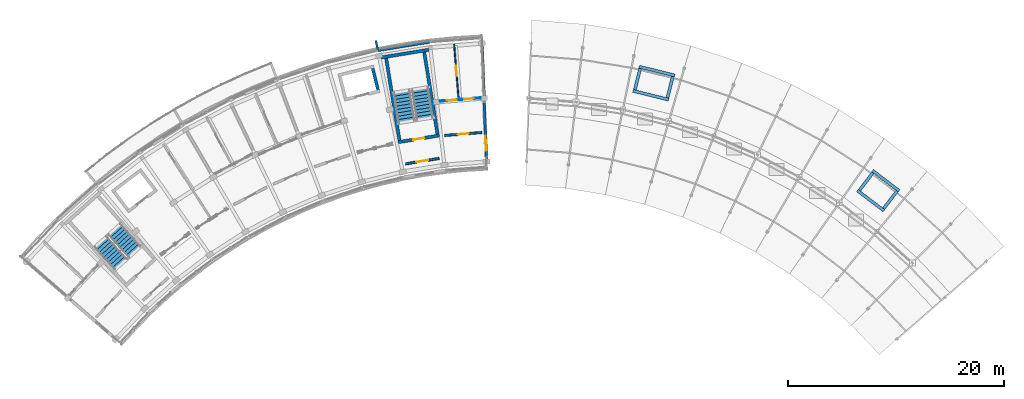
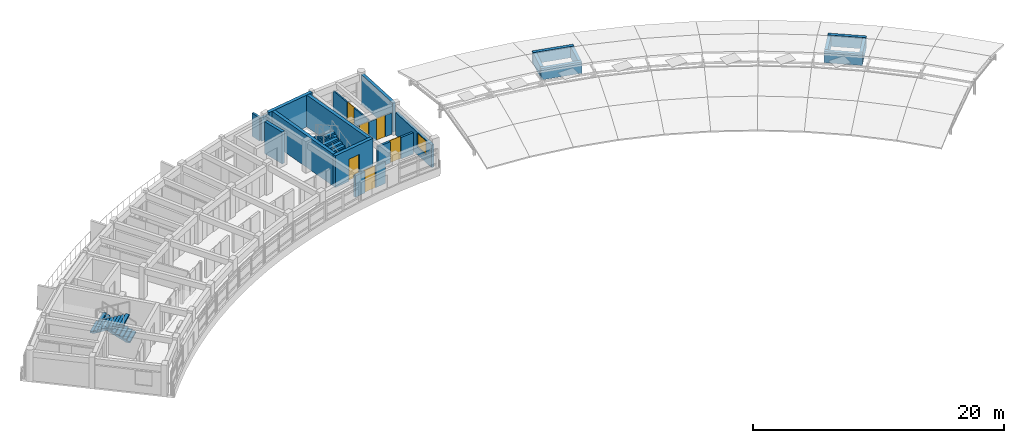
# One storey, part 17 of 20: 21 walls, 6 doors, 4 stair flights, 1 window, 7 openings, 2 elements without a shape of their own.
"""IFC4 building model written with IfcOpenShell, lengths in metres."""

from ifc_helpers import new_model, si_unit, direction, frame, frame_2d, origin, place, context, subcontext, project, spatial, polyline, rectangle, outline, extrude, material, layer, layer_set, type_object, element, fill, aggregate, save


model = new_model("IFC4")

# Units and contexts
model_context = context("Model", 3, precision=1e-05, world=origin(), true_north=direction((0.0, 1.0)))
body_context = subcontext(model_context, "Body", "Model", "MODEL_VIEW")
ifc_project = project(units=[si_unit("LENGTHUNIT", "METRE"), si_unit("AREAUNIT", "SQUARE_METRE"), si_unit("VOLUMEUNIT", "CUBIC_METRE"), si_unit("PLANEANGLEUNIT", "RADIAN"), si_unit("MASSUNIT", "GRAM", prefix="KILO")], contexts=[model_context])

# Site, building, storey
site_placement = place(None, origin())
site = spatial("IfcSite", under=ifc_project, at=site_placement, CompositionType="ELEMENT")
building_placement = place(site_placement, origin())
building = spatial("IfcBuilding", under=site, at=building_placement, Name="Zimvara Arc Housing Community", CompositionType="ELEMENT")
storey_placement = place(building_placement, frame((0.0, 0.0, 39.10009765625)))
storey = spatial("IfcBuildingStorey", under=building, at=storey_placement, Name="L12", CompositionType="ELEMENT", Elevation=39.10009765625)

# Wall
ifc_material_1 = material(Name="Board-Marked Fair-Faced Concrete C35/45", Category="concrete")
ifc_layer_1 = layer(ifc_material_1, 0.219970703125)
ifc_layer_set_1 = layer_set([ifc_layer_1], Name="Board-Marked Fair-Faced Concrete C35/45")
wall_type_1 = type_object("IfcWallType", Name="EWL-CONC-220", PredefinedType="SOLIDWALL", material=ifc_layer_set_1)
wall_1_placement = place(storey_placement, frame((33.120361328125, 102.6787109375, 0.0), z_axis=(0.0, 0.0, 1.0), x_axis=(0.987080750493, 0.160223568819, 0.0)))
element("IfcWall", 1, at=wall_1_placement, inside=storey, type_object=wall_type_1, Name="ewall:blkA:L12:out:b8", PredefinedType="SOLIDWALL", context=body_context, shape_type="SweptSolid", body=[
    extrude(rectangle(XDim=4.808837890625, YDim=0.219970703125, at=frame_2d((2.404296875, 0.0))), origin(), (0.0, 0.0, 1.0), 2.25),
])

# Wall, opening, window
ifc_material_2 = material(Name="Board-Marked Fair-Faced Concrete C35/45", Category="concrete")
ifc_layer_2 = layer(ifc_material_2, 0.2548828125)
ifc_layer_set_2 = layer_set([ifc_layer_2], Name="Board-Marked Fair-Faced Concrete C35/45")
wall_type_2 = type_object("IfcWallType", Name="EWL-CONC-255", PredefinedType="SOLIDWALL", material=ifc_layer_set_2)
wall_2_placement = place(storey_placement, frame((43.151123046875, 92.62451171875, 0.0), z_axis=(0.0, 0.0, 1.0), x_axis=(-0.038384504742, 0.999263043345, 0.0)))
wall_2 = element("IfcWall", 2, at=wall_2_placement, inside=storey, type_object=wall_type_2, Name="ewall:blkA:L12:gN", PredefinedType="SOLIDWALL", context=body_context, shape_type="SweptSolid", body=[
    extrude(rectangle(XDim=5.39990234375, YDim=0.2548828125, at=frame_2d((2.699951171875, 0.0))), origin(), (0.0, 0.0, 1.0), 2.179931640625),
])
opening_1_placement = place(wall_2_placement, frame((0.7900390625, 0.0, 0.75)))
opening_1 = element("IfcOpeningElement", 3, at=opening_1_placement, cuts=wall_2, Name="Opening W12", PredefinedType="OPENING", context=body_context, shape_type="SweptSolid", body=[
    extrude(rectangle(XDim=1.35009765625, YDim=1.35009765625, at=frame_2d((0.675048828125, 0.675048828125))), frame((0.0, 0.137451171875, 0.0), z_axis=(0.0, -1.0, 0.0), x_axis=(1.0, 0.0, 0.0)), (0.0, 0.0, 1.0), 0.27490234375),
])
ifc_material_3 = material(Name="Solar Control Low-E Double Glazing", Category="glass")
window_type = type_object("IfcWindowType", Name="WIN-RES-1350x1350", PartitioningType="DOUBLE_PANEL_VERTICAL", PredefinedType="WINDOW", material=ifc_material_3)
window_placement = place(opening_1_placement, origin())
window = element("IfcWindow", 4, at=window_placement, inside=storey, type_object=window_type, Name="win:blkA:L12:gN:w", OverallHeight=1.35009765625, OverallWidth=1.35009765625, PartitioningType="DOUBLE_PANEL_VERTICAL", PredefinedType="WINDOW", context=body_context, shape_type="SweptSolid", body=[
    extrude(rectangle(XDim=1.35009765625, YDim=1.35009765625, at=frame_2d((0.675048828125, 0.675048828125))), frame((0.0, 0.030029296875, 0.0), z_axis=(0.0, -1.0, 0.0), x_axis=(1.0, 0.0, 0.0)), (0.0, 0.0, 1.0), 0.06005859375),
])
fill(opening_1, window)

# Wall
ifc_material_4 = material(Name="Board-Marked Fair-Faced Concrete C35/45", Category="concrete")
ifc_layer_3 = layer(ifc_material_4, 0.195068359375)
ifc_layer_set_3 = layer_set([ifc_layer_3], Name="Board-Marked Fair-Faced Concrete C35/45")
wall_type_3 = type_object("IfcWallType", Name="EWL-PARA-195", PredefinedType="PARAPET", material=ifc_layer_set_3)
wall_3_placement = place(storey_placement, frame((33.092529296875, 102.714599609375, 0.0), z_axis=(0.0, 0.0, 1.0), x_axis=(-0.200183211319, 0.979758481416, 0.0)))
element("IfcWall", 5, at=wall_3_placement, inside=storey, type_object=wall_type_3, Name="finwall:blkA:L12:out:b8", PredefinedType="PARAPET", context=body_context, shape_type="SweptSolid", body=[
    extrude(rectangle(XDim=0.900146484375, YDim=0.195068359375, at=frame_2d((0.4501953125, 0.0))), origin(), (0.0, 0.0, 1.0), 2.25),
])

# Wall, opening, door
ifc_material_5 = material(Name="Concrete C35/45", Category="concrete")
ifc_layer_4 = layer(ifc_material_5, 0.2099609375)
ifc_layer_set_4 = layer_set([ifc_layer_4], Name="Concrete C35/45")
wall_type_4 = type_object("IfcWallType", Name="IWL-CCF-210", PredefinedType="SOLIDWALL", material=ifc_layer_set_4)
wall_4_placement = place(storey_placement, frame((35.675537109375, 92.181396484375, 0.0), z_axis=(0.0, 0.0, 1.0), x_axis=(0.98707079686, 0.160284877599, 0.0)))
wall_4 = element("IfcWall", 6, at=wall_4_placement, inside=storey, type_object=wall_type_4, Name="iwall:blkA:L12:ccf_div:b8", PredefinedType="SOLIDWALL", context=body_context, shape_type="SweptSolid", body=[
    extrude(rectangle(XDim=3.128662109375, YDim=0.2099609375, at=frame_2d((1.564453125, 0.0))), origin(), (0.0, 0.0, 1.0), 2.079833984375),
])
opening_2_placement = place(wall_4_placement, frame((1.014404296875, 0.0, 0.0)))
opening_2 = element("IfcOpeningElement", 7, at=opening_2_placement, cuts=wall_4, Name="Opening FD-CCF1", PredefinedType="OPENING", context=body_context, shape_type="SweptSolid", body=[
    extrude(rectangle(XDim=1.10009765625, YDim=2.14990234375, at=frame_2d((0.550048828125, 1.074951171875))), frame((0.0, 0.114990234375, 0.0), z_axis=(0.0, -1.0, 0.0), x_axis=(1.0, 0.0, 0.0)), (0.0, 0.0, 1.0), 0.22998046875),
])
ifc_material_6 = material(Name="Anodised Aluminium AW-6063", Category="aluminium")
door_type_1 = type_object("IfcDoorType", Name="IDR-CCF-1100x2150", OperationType="NOTDEFINED", PredefinedType="DOOR", material=ifc_material_6)
door_1_placement = place(opening_2_placement, origin())
door_1 = element("IfcDoor", 8, at=door_1_placement, inside=storey, type_object=door_type_1, Name="idoor:blkA:L12:ccf_in:b8", OperationType="SINGLE_SWING_RIGHT", OverallHeight=2.14990234375, OverallWidth=1.10009765625, PredefinedType="DOOR", context=body_context, shape_type="SweptSolid", body=[
    extrude(rectangle(XDim=1.10009765625, YDim=2.14990234375, at=frame_2d((0.550048828125, 1.074951171875))), frame((0.0, 0.02490234375, 0.0), z_axis=(0.0, -1.0, 0.0), x_axis=(1.0, 0.0, 0.0)), (0.0, 0.0, 1.0), 0.050048828125),
])
fill(opening_2, door_1)

ifc_material_7 = material(Name="Concrete C35/45", Category="concrete")
ifc_layer_5 = layer(ifc_material_7, 0.199951171875)
ifc_layer_set_5 = layer_set([ifc_layer_5], Name="Concrete C35/45")
wall_type_5 = type_object("IfcWallType", Name="IWL-CORR-200", PredefinedType="SOLIDWALL", material=ifc_layer_set_5)
wall_5_placement = place(storey_placement, frame((39.281494140625, 94.81298828125, 0.0), z_axis=(0.0, 0.0, 1.0), x_axis=(0.996862545573, 0.079152165058, 0.0)))
wall_5 = element("IfcWall", 9, at=wall_5_placement, inside=storey, type_object=wall_type_5, Name="iwall:blkA:L12:corr_out:b9", PredefinedType="SOLIDWALL", context=body_context, shape_type="SweptSolid", body=[
    extrude(rectangle(XDim=3.43603515625, YDim=0.199951171875, at=frame_2d((1.718017578125, 0.0))), origin(), (0.0, 0.0, 1.0), 2.079833984375),
])
opening_3_placement = place(wall_5_placement, frame((1.2080078125, 0.0, 0.0)))
opening_3 = element("IfcOpeningElement", 10, at=opening_3_placement, cuts=wall_5, Name="Opening FD-FL2", PredefinedType="OPENING", context=body_context, shape_type="SweptSolid", body=[
    extrude(rectangle(XDim=1.02001953125, YDim=2.14990234375, at=frame_2d((0.510009765625, 1.074951171875))), frame((0.0, 0.10986328125, 0.0), z_axis=(0.0, -1.0, 0.0), x_axis=(1.0, 0.0, 0.0)), (0.0, 0.0, 1.0), 0.219970703125),
])
ifc_material_8 = material(Name="Mozambican Hardwood", Category="wood")
door_type_2 = type_object("IfcDoorType", Name="IDR-FLAT-1020x2150", OperationType="NOTDEFINED", PredefinedType="DOOR", material=ifc_material_8)
door_2_placement = place(opening_3_placement, origin())
door_2 = element("IfcDoor", 11, at=door_2_placement, inside=storey, type_object=door_type_2, Name="idoor:blkA:L12:flat:b9", OperationType="SINGLE_SWING_LEFT", OverallHeight=2.14990234375, OverallWidth=1.02001953125, PredefinedType="DOOR", context=body_context, shape_type="SweptSolid", body=[
    extrude(rectangle(XDim=1.02001953125, YDim=2.14990234375, at=frame_2d((0.510009765625, 1.074951171875))), frame((0.0, 0.02490234375, 0.0), z_axis=(0.0, -1.0, 0.0), x_axis=(1.0, 0.0, 0.0)), (0.0, 0.0, 1.0), 0.050048828125),
])
fill(opening_3, door_2)

# Wall, openings, doors
ifc_material_9 = material(Name="Painted Acoustic Plasterboard")
ifc_layer_6 = layer(ifc_material_9, 0.114990234375)
ifc_layer_set_6 = layer_set([ifc_layer_6], Name="Painted Acoustic Plasterboard")
wall_type_6 = type_object("IfcWallType", Name="IWL-PART-115", PredefinedType="PARTITIONING", material=ifc_layer_set_6)
wall_6_placement = place(storey_placement, frame((38.848388671875, 97.986083984375, 0.0), z_axis=(0.0, 0.0, 1.0), x_axis=(0.996863138536, 0.079144696778, 0.0)))
wall_6 = element("IfcWall", 12, at=wall_6_placement, inside=storey, type_object=wall_type_6, Name="iwall:blkA:L12:srv:b9", PredefinedType="PARTITIONING", context=body_context, shape_type="SweptSolid", body=[
    extrude(rectangle(XDim=3.79736328125, YDim=0.114990234375, at=frame_2d((1.898681640625, 0.0))), origin(), (0.0, 0.0, 1.0), 2.079833984375),
])
opening_4_placement = place(wall_6_placement, frame((0.64990234375, 0.0, 0.0)))
opening_4 = element("IfcOpeningElement", 13, at=opening_4_placement, cuts=wall_6, Name="Opening D01", PredefinedType="OPENING", context=body_context, shape_type="SweptSolid", body=[
    extrude(rectangle(XDim=0.89990234375, YDim=2.10009765625, at=frame_2d((0.449951171875, 1.050048828125))), frame((0.0, 0.0673828125, 0.0), z_axis=(0.0, -1.0, 0.0), x_axis=(1.0, 0.0, 0.0)), (0.0, 0.0, 1.0), 0.135009765625),
])
opening_5_placement = place(wall_6_placement, frame((2.267333984375, 0.0, 0.0)))
opening_5 = element("IfcOpeningElement", 14, at=opening_5_placement, cuts=wall_6, Name="Opening D05", PredefinedType="OPENING", context=body_context, shape_type="SweptSolid", body=[
    extrude(rectangle(XDim=0.8798828125, YDim=2.10009765625, at=frame_2d((0.43994140625, 1.050048828125))), frame((0.0, 0.0673828125, 0.0), z_axis=(0.0, -1.0, 0.0), x_axis=(1.0, 0.0, 0.0)), (0.0, 0.0, 1.0), 0.135009765625),
])
ifc_material_10 = material(Name="Mozambican Hardwood", Category="wood")
door_type_3 = type_object("IfcDoorType", Name="IDR-RM-0900x2100", OperationType="NOTDEFINED", PredefinedType="DOOR", material=ifc_material_10)
door_3_placement = place(opening_4_placement, origin())
door_3 = element("IfcDoor", 15, at=door_3_placement, inside=storey, type_object=door_type_3, Name="idoor:blkA:L12:kit_liv:b9", OperationType="SINGLE_SWING_RIGHT", OverallHeight=2.10009765625, OverallWidth=0.89990234375, PredefinedType="DOOR", context=body_context, shape_type="SweptSolid", body=[
    extrude(rectangle(XDim=0.89990234375, YDim=2.10009765625, at=frame_2d((0.449951171875, 1.050048828125))), frame((0.0, 0.02490234375, 0.0), z_axis=(0.0, -1.0, 0.0), x_axis=(1.0, 0.0, 0.0)), (0.0, 0.0, 1.0), 0.050048828125),
])
fill(opening_4, door_3)
ifc_material_11 = material(Name="Mozambican Hardwood", Category="wood")
door_type_4 = type_object("IfcDoorType", Name="IDR-WC-0880x2100", OperationType="NOTDEFINED", PredefinedType="DOOR", material=ifc_material_11)
door_4_placement = place(opening_5_placement, origin())
door_4 = element("IfcDoor", 16, at=door_4_placement, inside=storey, type_object=door_type_4, Name="idoor:blkA:L12:bath_d:b9", OperationType="SINGLE_SWING_LEFT", OverallHeight=2.10009765625, OverallWidth=0.8798828125, PredefinedType="DOOR", context=body_context, shape_type="SweptSolid", body=[
    extrude(rectangle(XDim=0.8798828125, YDim=2.10009765625, at=frame_2d((0.43994140625, 1.050048828125))), frame((0.0, 0.02490234375, 0.0), z_axis=(0.0, -1.0, 0.0), x_axis=(1.0, 0.0, 0.0)), (0.0, 0.0, 1.0), 0.050048828125),
])
fill(opening_5, door_4)

# Wall, opening, door
ifc_material_12 = material(Name="Painted Acoustic Plasterboard")
ifc_layer_7 = layer(ifc_material_12, 0.1201171875)
ifc_layer_set_7 = layer_set([ifc_layer_7], Name="Painted Acoustic Plasterboard")
wall_type_7 = type_object("IfcWallType", Name="IWL-PART-120", PredefinedType="PARTITIONING", material=ifc_layer_set_7)
wall_7_placement = place(storey_placement, frame((40.55908203125, 98.3671875, 0.0), z_axis=(0.0, 0.0, 1.0), x_axis=(-0.082158932509, 0.996619240136, 0.0)))
wall_7 = element("IfcWall", 17, at=wall_7_placement, inside=storey, type_object=wall_type_7, Name="iwall:blkA:L12:bed_div:b9", PredefinedType="PARTITIONING", context=body_context, shape_type="SweptSolid", body=[
    extrude(rectangle(XDim=4.900146484375, YDim=0.1201171875, at=frame_2d((2.4501953125, 0.0))), origin(), (0.0, 0.0, 1.0), 2.079833984375),
])
opening_6_placement = place(wall_7_placement, frame((1.969970703125, 0.0, 0.0)))
opening_6 = element("IfcOpeningElement", 18, at=opening_6_placement, cuts=wall_7, Name="Opening D04", PredefinedType="OPENING", context=body_context, shape_type="SweptSolid", body=[
    extrude(rectangle(XDim=0.9599609375, YDim=2.10009765625, at=frame_2d((0.47998046875, 1.050048828125))), frame((0.0, 0.070068359375, 0.0), z_axis=(0.0, -1.0, 0.0), x_axis=(1.0, 0.0, 0.0)), (0.0, 0.0, 1.0), 0.14013671875),
])
ifc_material_13 = material(Name="Mozambican Hardwood", Category="wood")
door_type_5 = type_object("IfcDoorType", Name="IDR-RM-0960x2100", OperationType="NOTDEFINED", PredefinedType="DOOR", material=ifc_material_13)
door_5_placement = place(opening_6_placement, origin())
door_5 = element("IfcDoor", 19, at=door_5_placement, inside=storey, type_object=door_type_5, Name="idoor:blkA:L12:bed_d:b9", OperationType="SINGLE_SWING_RIGHT", OverallHeight=2.10009765625, OverallWidth=0.9599609375, PredefinedType="DOOR", context=body_context, shape_type="SweptSolid", body=[
    extrude(rectangle(XDim=0.9599609375, YDim=2.10009765625, at=frame_2d((0.47998046875, 1.050048828125))), frame((0.0, 0.02490234375, 0.0), z_axis=(0.0, -1.0, 0.0), x_axis=(1.0, 0.0, 0.0)), (0.0, 0.0, 1.0), 0.050048828125),
])
fill(opening_6, door_5)

# Walls
ifc_material_14 = material(Name="Concrete C40/50", Category="concrete")
ifc_layer_8 = layer(ifc_material_14, 0.280029296875)
ifc_layer_set_8 = layer_set([ifc_layer_8], Name="Concrete C40/50")
wall_type_8 = type_object("IfcWallType", Name="WL-CORE-280", PredefinedType="SHEAR", material=ifc_layer_set_8)
wall_8_placement = place(storey_placement, frame((33.103515625, 99.04443359375, 0.0), z_axis=(0.0, 0.0, 1.0), x_axis=(-0.240186044774, 0.970726873995, 0.0)))
element("IfcWall", 20, at=wall_8_placement, inside=storey, type_object=wall_type_8, Name="lwall:LF-A2:L12:left", PredefinedType="SHEAR", context=body_context, shape_type="SweptSolid", body=[
    extrude(rectangle(XDim=2.02978515625, YDim=0.280029296875, at=frame_2d((1.014892578125, 0.0))), origin(), (0.0, 0.0, 1.0), 3.099853515625),
])
wall_9_placement = place(storey_placement, frame((60.017578125, 98.127685546875, 0.0), z_axis=(0.0, 0.0, 1.0), x_axis=(-0.970707542441, 0.240264160972, 0.0)))
element("IfcWall", 21, at=wall_9_placement, inside=storey, type_object=wall_type_8, Name="lwall:LF-B1:L12:ov_front", PredefinedType="SHEAR", context=body_context, shape_type="SweptSolid", body=[
    extrude(rectangle(XDim=3.389892578125, YDim=0.280029296875, at=frame_2d((1.69482421875, 0.0))), origin(), (0.0, 0.0, 1.0), 1.099853515625),
])
wall_10_placement = place(storey_placement, frame((60.572509765625, 100.3701171875, 0.0), z_axis=(0.0, 0.0, 1.0), x_axis=(-0.970711699588, 0.240247364777, 0.0)))
element("IfcWall", 22, at=wall_10_placement, inside=storey, type_object=wall_type_8, Name="lwall:LF-B1:L12:ov_back", PredefinedType="SHEAR", context=body_context, shape_type="SweptSolid", body=[
    extrude(rectangle(XDim=3.39013671875, YDim=0.280029296875, at=frame_2d((1.695068359375, 0.0))), origin(), (0.0, 0.0, 1.0), 1.099853515625),
])
wall_11_placement = place(storey_placement, frame((59.915283203125, 98.29736328125, 0.0), z_axis=(0.0, 0.0, 1.0), x_axis=(0.2402993748, 0.970698825832, 0.0)))
element("IfcWall", 23, at=wall_11_placement, inside=storey, type_object=wall_type_8, Name="lwall:LF-B1:L12:ov_left", PredefinedType="SHEAR", context=body_context, shape_type="SweptSolid", body=[
    extrude(rectangle(XDim=2.030029296875, YDim=0.280029296875, at=frame_2d((1.01513671875, 0.0))), origin(), (0.0, 0.0, 1.0), 1.099853515625),
])
wall_12_placement = place(storey_placement, frame((56.896484375, 99.04443359375, 0.0), z_axis=(0.0, 0.0, 1.0), x_axis=(0.240186044774, 0.970726873995, 0.0)))
element("IfcWall", 24, at=wall_12_placement, inside=storey, type_object=wall_type_8, Name="lwall:LF-B1:L12:ov_right", PredefinedType="SHEAR", context=body_context, shape_type="SweptSolid", body=[
    extrude(rectangle(XDim=2.02978515625, YDim=0.280029296875, at=frame_2d((1.014892578125, 0.0))), origin(), (0.0, 0.0, 1.0), 1.099853515625),
])
wall_13_placement = place(storey_placement, frame((79.96142578125, 87.84375, 0.0), z_axis=(0.0, 0.0, 1.0), x_axis=(-0.795464365424, 0.606000365793, 0.0)))
element("IfcWall", 25, at=wall_13_placement, inside=storey, type_object=wall_type_8, Name="lwall:LP-B2:L12:ov_front", PredefinedType="SHEAR", context=body_context, shape_type="SweptSolid", body=[
    extrude(rectangle(XDim=3.090087890625, YDim=0.280029296875, at=frame_2d((1.544921875, 0.0))), origin(), (0.0, 0.0, 1.0), 1.099853515625),
])
wall_14_placement = place(storey_placement, frame((81.361083984375, 89.681396484375, 0.0), z_axis=(0.0, 0.0, 1.0), x_axis=(-0.795502452183, 0.605950368076, 0.0)))
element("IfcWall", 26, at=wall_14_placement, inside=storey, type_object=wall_type_8, Name="lwall:LP-B2:L12:ov_back", PredefinedType="SHEAR", context=body_context, shape_type="SweptSolid", body=[
    extrude(rectangle(XDim=3.08984375, YDim=0.280029296875, at=frame_2d((1.544921875, 0.0))), origin(), (0.0, 0.0, 1.0), 1.099853515625),
])
for number, where, z_axis, x_axis, name in (
    (27, (79.934814453125, 88.0400390625, 0.0), (0.0, 0.0, 1.0), (0.606025097418, 0.795445523779, 0.0), "lwall:LP-B2:L12:ov_left"),
    (28, (77.699462890625, 89.742919921875, 0.0), (0.0, 0.0, 1.0), (0.606025097418, 0.795445523779, 0.0), "lwall:LP-B2:L12:ov_right"),
):
    element("IfcWall", number, at=place(storey_placement, frame(where, z_axis=z_axis, x_axis=x_axis)), inside=storey, type_object=wall_type_8, Name=name, PredefinedType="SHEAR", context=body_context, shape_type="SweptSolid", body=[
        extrude(rectangle(XDim=2.030029296875, YDim=0.280029296875, at=frame_2d((1.01513671875, 0.0))), origin(), (0.0, 0.0, 1.0), 1.099853515625),
    ])

# Wall, opening, door
ifc_material_15 = material(Name="Concrete C40/50", Category="concrete")
ifc_layer_9 = layer(ifc_material_15, 0.300048828125)
ifc_layer_set_9 = layer_set([ifc_layer_9], Name="Concrete C40/50")
wall_type_9 = type_object("IfcWallType", Name="WL-CORE-300", PredefinedType="SHEAR", material=ifc_layer_set_9)
wall_15_placement = place(storey_placement, frame((38.793701171875, 94.810546875, 0.0), z_axis=(0.0, 0.0, 1.0), x_axis=(-0.987077443397, -0.160243941341, 0.0)))
wall_15 = element("IfcWall", 29, at=wall_15_placement, inside=storey, type_object=wall_type_9, Name="cwall:ST-A2:L12:near", PredefinedType="SHEAR", context=body_context, shape_type="SweptSolid", body=[
    extrude(rectangle(XDim=3.869873046875, YDim=0.300048828125, at=frame_2d((1.93505859375, 0.0))), origin(), (0.0, 0.0, 1.0), 3.099853515625),
])
opening_7_placement = place(wall_15_placement, frame((1.409912109375, 0.0, 0.0)))
opening_7 = element("IfcOpeningElement", 30, at=opening_7_placement, cuts=wall_15, Name="Opening FD-ST2", PredefinedType="OPENING", context=body_context, shape_type="SweptSolid", body=[
    extrude(rectangle(XDim=1.050048828125, YDim=2.14990234375, at=frame_2d((0.52490234375, 1.074951171875))), frame((0.0, 0.159912109375, 0.0), z_axis=(0.0, -1.0, 0.0), x_axis=(1.0, 0.0, 0.0)), (0.0, 0.0, 1.0), 0.320068359375),
])
ifc_material_16 = material(Name="Anodised Aluminium AW-6063", Category="aluminium")
door_type_6 = type_object("IfcDoorType", Name="IDR-ST-1050x2150", OperationType="NOTDEFINED", PredefinedType="DOOR", material=ifc_material_16)
door_6_placement = place(opening_7_placement, origin())
door_6 = element("IfcDoor", 31, at=door_6_placement, inside=storey, type_object=door_type_6, Name="idoor:ST-A2:L12:entry", OperationType="SINGLE_SWING_RIGHT", OverallHeight=2.14990234375, OverallWidth=1.050048828125, PredefinedType="DOOR", context=body_context, shape_type="SweptSolid", body=[
    extrude(rectangle(XDim=1.050048828125, YDim=2.14990234375, at=frame_2d((0.52490234375, 1.074951171875))), frame((0.0, 0.02490234375, 0.0), z_axis=(0.0, -1.0, 0.0), x_axis=(1.0, 0.0, 0.0)), (0.0, 0.0, 1.0), 0.050048828125),
])
fill(opening_7, door_6)

# Walls
wall_16_placement = place(storey_placement, frame((37.8095703125, 102.745361328125, 0.0), z_axis=(0.0, 0.0, 1.0), x_axis=(-0.987084710126, -0.160199173019, 0.0)))
element("IfcWall", 32, at=wall_16_placement, inside=storey, type_object=wall_type_9, Name="cwall:ST-A2:L12:far", PredefinedType="SHEAR", context=body_context, shape_type="SweptSolid", body=[
    extrude(rectangle(XDim=4.4697265625, YDim=0.300048828125, at=frame_2d((2.23486328125, 0.0))), origin(), (0.0, 0.0, 1.0), 3.099853515625),
])
for number, where, z_axis, x_axis, name in (
    (33, (38.62158203125, 94.9345703125, 0.0), (0.0, 0.0, 1.0), (-0.160196564502, 0.987085133472, 0.0), "cwall:ST-A2:L12:left"),
    (34, (35.097900390625, 94.362548828125, 0.0), (0.0, 0.0, 1.0), (-0.160227496777, 0.987080112897, 0.0), "cwall:ST-A2:L12:right"),
):
    element("IfcWall", number, at=place(storey_placement, frame(where, z_axis=z_axis, x_axis=x_axis)), inside=storey, type_object=wall_type_9, Name=name, PredefinedType="SHEAR", context=body_context, shape_type="SweptSolid", body=[
        extrude(rectangle(XDim=7.690185546875, YDim=0.300048828125, at=frame_2d((3.84521484375, 0.0))), origin(), (0.0, 0.0, 1.0), 3.099853515625),
    ])
ifc_material_17 = material(Name="Concrete C40/50", Category="concrete")
ifc_layer_10 = layer(ifc_material_17, 0.27001953125)
ifc_layer_set_10 = layer_set([ifc_layer_10], Name="Concrete C40/50")
wall_type_10 = type_object("IfcWallType", Name="WL-SHEAR-270", PredefinedType="SHEAR", material=ifc_layer_set_10)
wall_17_placement = place(storey_placement, frame((42.927734375, 98.440185546875, 0.0), z_axis=(0.0, 0.0, 1.0), x_axis=(-0.038379487611, 0.999263236055, 0.0)))
element("IfcWall", 35, at=wall_17_placement, inside=storey, type_object=wall_type_10, Name="swall:blkA:L12:east", PredefinedType="SHEAR", context=body_context, shape_type="SweptSolid", body=[
    extrude(rectangle(XDim=4.719970703125, YDim=0.27001953125, at=frame_2d((2.35986328125, 0.0))), origin(), (0.0, 0.0, 1.0), 2.85986328125),
])

# Stair, stair flights
ifc_material_18 = material(Name="Concrete C35/45", Category="concrete")
stair_type_1 = type_object("IfcStairType", Name="STR-DL-312-310", PredefinedType="HALF_TURN_STAIR", material=ifc_material_18)
stair_1_placement = place(storey_placement, origin())
stair_1 = element("IfcStair", 36, at=stair_1_placement, inside=storey, type_object=stair_type_1, Name="L12 Block A Exit Stair 1", PredefinedType="HALF_TURN_STAIR")
ifc_material_19 = material(Name="Concrete C35/45", Category="concrete")
stair_flight_type_1 = type_object("IfcStairFlightType", Name="STF-DL-312-310", PredefinedType="STRAIGHT", material=ifc_material_19)
stair_flight_1_placement = place(storey_placement, frame((10.590576171875, 84.0283203125, 0.0), z_axis=(0.0, 0.0, 1.0), x_axis=(-0.668871159118, 0.743378350842, 0.0)))
stair_flight_1 = element("IfcStairFlight", 37, at=stair_flight_1_placement, type_object=stair_flight_type_1, Name="ST-A1 flight 1", NumberOfRisers=10, NumberOfTreads=9, PredefinedType="STRAIGHT", RiserHeight=0.155, TreadLength=0.312, context=body_context, shape_type="SweptSolid", body=[
    extrude(outline(polyline([(0.0, 0.0), (0.0, 0.155029296875), (0.31201171875, 0.155029296875), (0.31201171875, 0.31005859375), (0.6240234375, 0.31005859375), (0.6240234375, 0.465087890625), (0.93603515625, 0.465087890625), (0.93603515625, 0.6201171875), (1.248046875, 0.6201171875), (1.248046875, 0.77490234375), (1.56005859375, 0.77490234375), (1.56005859375, 0.929931640625), (1.8720703125, 0.929931640625), (1.8720703125, 1.0849609375), (2.18408203125, 1.0849609375), (2.18408203125, 1.239990234375), (2.49609375, 1.239990234375), (2.49609375, 1.39501953125), (2.80810546875, 1.39501953125), (2.80810546875, 1.550048828125), (2.80810546875, 1.2275390625), (0.3369140625, 0.0), (0.0, 0.0)])), frame((0.0, 0.780029296875, 0.0), z_axis=(0.0, -1.0, 0.0), x_axis=(1.0, 0.0, 0.0)), (0.0, 0.0, 1.0), 1.56005859375),
])
stair_flight_2_placement = place(storey_placement, frame((7.43359375, 84.965087890625, 1.5498046875), z_axis=(0.0, 0.0, 1.0), x_axis=(0.668871159118, -0.743378350842, 0.0)))
stair_flight_2 = element("IfcStairFlight", 38, at=stair_flight_2_placement, type_object=stair_flight_type_1, Name="ST-A1 flight 2", NumberOfRisers=10, NumberOfTreads=9, PredefinedType="STRAIGHT", RiserHeight=0.155, TreadLength=0.312, context=body_context, shape_type="SweptSolid", body=[
    extrude(outline(polyline([(0.0, 0.0), (0.0, 0.155029296875), (0.31201171875, 0.155029296875), (0.31201171875, 0.31005859375), (0.6240234375, 0.31005859375), (0.6240234375, 0.465087890625), (0.93603515625, 0.465087890625), (0.93603515625, 0.6201171875), (1.248046875, 0.6201171875), (1.248046875, 0.77490234375), (1.56005859375, 0.77490234375), (1.56005859375, 0.929931640625), (1.8720703125, 0.929931640625), (1.8720703125, 1.0849609375), (2.18408203125, 1.0849609375), (2.18408203125, 1.239990234375), (2.49609375, 1.239990234375), (2.49609375, 1.39501953125), (2.80810546875, 1.39501953125), (2.80810546875, 1.550048828125), (2.80810546875, 1.2275390625), (0.3369140625, 0.0), (0.0, 0.0)])), frame((0.0, 0.780029296875, 0.0), z_axis=(0.0, -1.0, 0.0), x_axis=(1.0, 0.0, 0.0)), (0.0, 0.0, 1.0), 1.56005859375),
])
aggregate(stair_1, [stair_flight_1, stair_flight_2])

ifc_material_20 = material(Name="Concrete C35/45", Category="concrete")
stair_type_2 = type_object("IfcStairType", Name="STR-DL-315-310", PredefinedType="HALF_TURN_STAIR", material=ifc_material_20)
stair_2_placement = place(storey_placement, origin())
stair_2 = element("IfcStair", 39, at=stair_2_placement, inside=storey, type_object=stair_type_2, Name="L12 Block A Exit Stair 2", PredefinedType="HALF_TURN_STAIR")
ifc_material_21 = material(Name="Concrete C35/45", Category="concrete")
stair_flight_type_2 = type_object("IfcStairFlightType", Name="STF-DL-315-310", PredefinedType="STRAIGHT", material=ifc_material_21)
stair_flight_3_placement = place(storey_placement, frame((37.453125, 96.36083984375, 0.0), z_axis=(0.0, 0.0, 1.0), x_axis=(-0.160225753504, 0.987080395872, 0.0)))
stair_flight_3 = element("IfcStairFlight", 40, at=stair_flight_3_placement, type_object=stair_flight_type_2, Name="ST-A2 flight 1", NumberOfRisers=10, NumberOfTreads=9, PredefinedType="STRAIGHT", RiserHeight=0.155, TreadLength=0.315, context=body_context, shape_type="SweptSolid", body=[
    extrude(outline(polyline([(0.0, 0.0), (0.0, 0.155029296875), (0.31494140625, 0.155029296875), (0.31494140625, 0.31005859375), (0.6298828125, 0.31005859375), (0.6298828125, 0.465087890625), (0.945068359375, 0.465087890625), (0.945068359375, 0.6201171875), (1.260009765625, 0.6201171875), (1.260009765625, 0.77490234375), (1.574951171875, 0.77490234375), (1.574951171875, 0.929931640625), (1.889892578125, 0.929931640625), (1.889892578125, 1.0849609375), (2.205078125, 1.0849609375), (2.205078125, 1.239990234375), (2.52001953125, 1.239990234375), (2.52001953125, 1.39501953125), (2.8349609375, 1.39501953125), (2.8349609375, 1.550048828125), (2.8349609375, 1.22802734375), (0.339599609375, 0.0), (0.0, 0.0)])), frame((0.0, 0.780029296875, 0.0), z_axis=(0.0, -1.0, 0.0), x_axis=(1.0, 0.0, 0.0)), (0.0, 0.0, 1.0), 1.56005859375),
])
stair_flight_4_placement = place(storey_placement, frame((35.301025390625, 98.883544921875, 1.5498046875), z_axis=(0.0, 0.0, 1.0), x_axis=(0.160225753504, -0.987080395872, 0.0)))
stair_flight_4 = element("IfcStairFlight", 41, at=stair_flight_4_placement, type_object=stair_flight_type_2, Name="ST-A2 flight 2", NumberOfRisers=10, NumberOfTreads=9, PredefinedType="STRAIGHT", RiserHeight=0.155, TreadLength=0.315, context=body_context, shape_type="SweptSolid", body=[
    extrude(outline(polyline([(0.0, 0.0), (0.0, 0.155029296875), (0.31494140625, 0.155029296875), (0.31494140625, 0.31005859375), (0.6298828125, 0.31005859375), (0.6298828125, 0.465087890625), (0.945068359375, 0.465087890625), (0.945068359375, 0.6201171875), (1.260009765625, 0.6201171875), (1.260009765625, 0.77490234375), (1.574951171875, 0.77490234375), (1.574951171875, 0.929931640625), (1.889892578125, 0.929931640625), (1.889892578125, 1.0849609375), (2.205078125, 1.0849609375), (2.205078125, 1.239990234375), (2.52001953125, 1.239990234375), (2.52001953125, 1.39501953125), (2.8349609375, 1.39501953125), (2.8349609375, 1.550048828125), (2.8349609375, 1.22802734375), (0.339599609375, 0.0), (0.0, 0.0)])), frame((0.0, 0.780029296875, 0.0), z_axis=(0.0, -1.0, 0.0), x_axis=(1.0, 0.0, 0.0)), (0.0, 0.0, 1.0), 1.56005859375),
])
aggregate(stair_2, [stair_flight_3, stair_flight_4])

save(model, "model.ifc")
